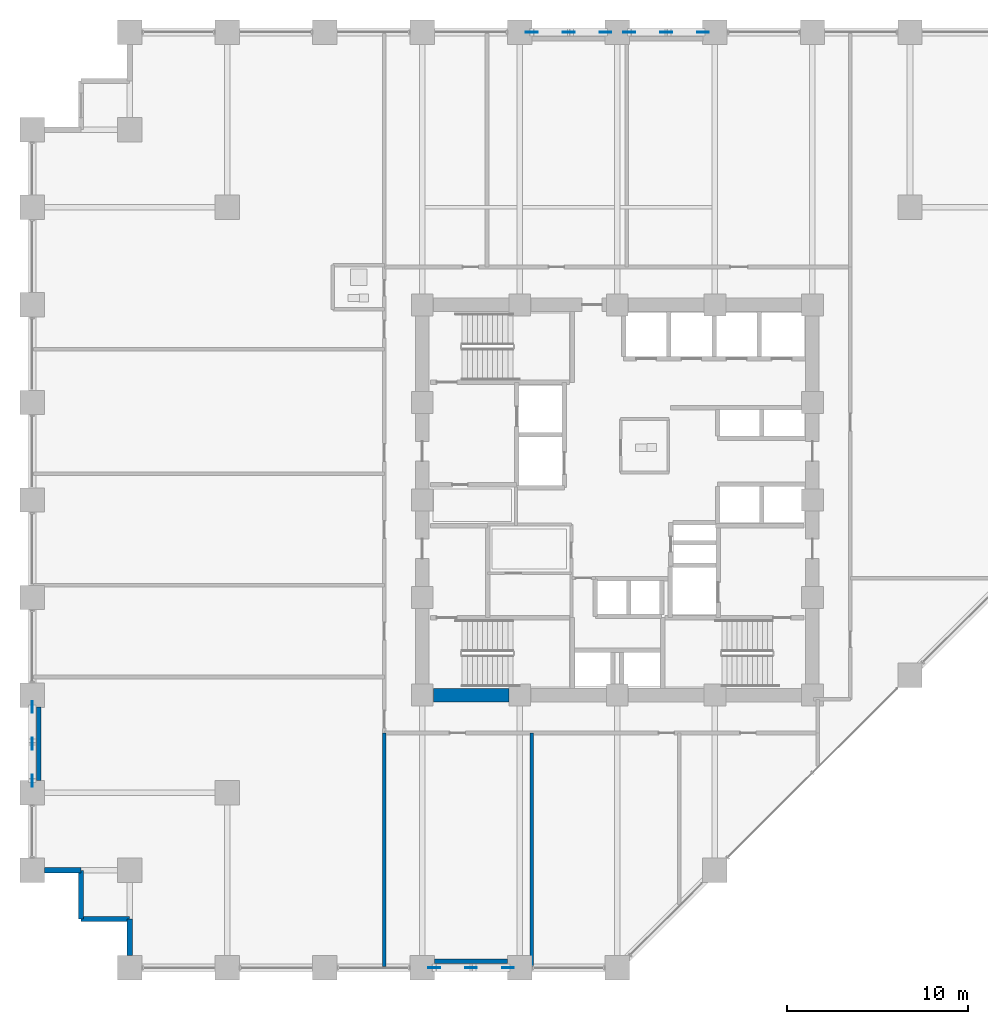
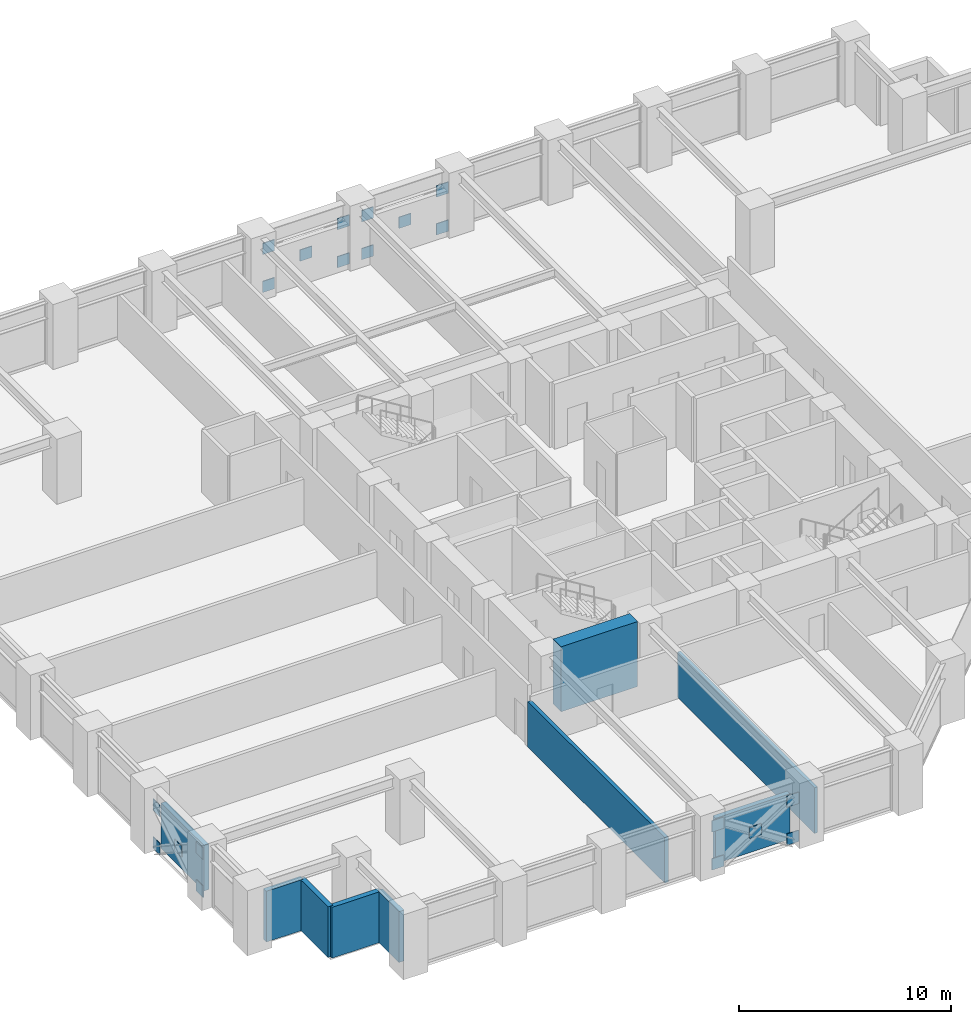
# One storey, part 19 of 24: 20 plates, 9 walls.
"""IFC4 building model written with IfcOpenShell, lengths in metres."""

from ifc_helpers import new_model, si_unit, direction, frame, frame_2d, origin, origin_2d, place, context, subcontext, project, spatial, rectangle, extrude, material, layer, layer_set, type_object, element, save


model = new_model("IFC4")

# Units and contexts
model_context = context("Model", 3, precision=1e-05, world=origin(), true_north=direction((0.0, 1.0)))
body_context = subcontext(model_context, "Body", "Model", "MODEL_VIEW")
ifc_project = project(units=[si_unit("LENGTHUNIT", "METRE"), si_unit("AREAUNIT", "SQUARE_METRE"), si_unit("VOLUMEUNIT", "CUBIC_METRE"), si_unit("PLANEANGLEUNIT", "RADIAN"), si_unit("MASSUNIT", "GRAM", prefix="KILO")], contexts=[model_context])

# Site, building, storey
site_placement = place(None, origin())
site = spatial("IfcSite", under=ifc_project, at=site_placement, CompositionType="ELEMENT")
building_placement = place(site_placement, origin())
building = spatial("IfcBuilding", under=site, at=building_placement, Name="Surkhivell Harbour Commons", CompositionType="ELEMENT")
storey_placement = place(building_placement, frame((0.0, 0.0, 26.25)))
storey = spatial("IfcBuildingStorey", under=building, at=storey_placement, Name="L06", CompositionType="ELEMENT", Elevation=26.25)

# Plates
ifc_material_1 = material(Name="Steel S460", Category="steel")
ifc_layer_1 = layer(ifc_material_1, 0.044921875)
ifc_layer_set_1 = layer_set([ifc_layer_1], Name="Steel S460")
plate_type = type_object("IfcPlateType", Name="PLT-GUS-650", PredefinedType="USERDEFINED", material=ifc_layer_set_1)
for number, where, z_axis, x_axis, name in (
    (1, (-4.739990234375, 25.89990234375, -0.08935546875), (0.0, 0.0, 1.0), (1.0, 0.0, 0.0), "L06 Perimeter Mega-Brace MB- Corner Gusset N-1"),
    (2, (-0.659912109375, 25.89990234375, -0.08935546875), (0.0, 0.0, 1.0), (1.0, 0.0, 0.0), "L06 Perimeter Mega-Brace MB- Corner Gusset N-2"),
    (3, (-4.739990234375, 25.89990234375, 2.1005859375), (0.0, 0.0, 1.0), (1.0, 0.0, 0.0), "L06 Perimeter Mega-Brace MB- Corner Gusset N-3"),
    (4, (-0.659912109375, 25.89990234375, 2.1005859375), (0.0, 0.0, 1.0), (1.0, 0.0, 0.0), "L06 Perimeter Mega-Brace MB- Corner Gusset N-4"),
    (5, (-2.699951171875, 25.89990234375, 1.005615234375), (0.0, 0.0, 1.0), (1.0, 0.0, 0.0), "L06 Perimeter Mega-Brace MB- Central Crossing Gusset N"),
    (6, (0.659912109375, 25.89990234375, -0.08935546875), (0.0, 0.0, 1.0), (1.0, 0.0, 0.0), "L06 Perimeter Mega-Brace MB- Corner Gusset N2-1"),
    (7, (4.739990234375, 25.89990234375, -0.08935546875), (0.0, 0.0, 1.0), (1.0, 0.0, 0.0), "L06 Perimeter Mega-Brace MB- Corner Gusset N2-2"),
    (8, (0.659912109375, 25.89990234375, 2.1005859375), (0.0, 0.0, 1.0), (1.0, 0.0, 0.0), "L06 Perimeter Mega-Brace MB- Corner Gusset N2-3"),
    (9, (4.739990234375, 25.89990234375, 2.1005859375), (0.0, 0.0, 1.0), (1.0, 0.0, 0.0), "L06 Perimeter Mega-Brace MB- Corner Gusset N2-4"),
    (10, (2.699951171875, 25.89990234375, 1.005615234375), (0.0, 0.0, 1.0), (1.0, 0.0, 0.0), "L06 Perimeter Mega-Brace MB- Central Crossing Gusset N2"),
    (11, (-10.139892578125, -25.89990234375, -0.08935546875), (0.0, 0.0, 1.0), (1.0, 0.0, 0.0), "L06 Perimeter Mega-Brace MB- Corner Gusset S-1"),
    (12, (-6.06005859375, -25.89990234375, -0.08935546875), (0.0, 0.0, 1.0), (1.0, 0.0, 0.0), "L06 Perimeter Mega-Brace MB- Corner Gusset S-2"),
    (13, (-10.139892578125, -25.89990234375, 2.1005859375), (0.0, 0.0, 1.0), (1.0, 0.0, 0.0), "L06 Perimeter Mega-Brace MB- Corner Gusset S-3"),
    (14, (-6.06005859375, -25.89990234375, 2.1005859375), (0.0, 0.0, 1.0), (1.0, 0.0, 0.0), "L06 Perimeter Mega-Brace MB- Corner Gusset S-4"),
    (15, (-8.10009765625, -25.89990234375, 1.005615234375), (0.0, 0.0, 1.0), (1.0, 0.0, 0.0), "L06 Perimeter Mega-Brace MB- Central Crossing Gusset S"),
    (16, (-32.39990234375, -15.5400390625, -0.08935546875), (0.0, 0.0, 1.0), (0.0, 1.0, 0.0), "L06 Perimeter Mega-Brace MB- Corner Gusset W-1"),
    (17, (-32.39990234375, -11.4599609375, -0.08935546875), (0.0, 0.0, 1.0), (0.0, 1.0, 0.0), "L06 Perimeter Mega-Brace MB- Corner Gusset W-2"),
    (18, (-32.39990234375, -15.5400390625, 2.1005859375), (0.0, 0.0, 1.0), (0.0, 1.0, 0.0), "L06 Perimeter Mega-Brace MB- Corner Gusset W-3"),
    (19, (-32.39990234375, -11.4599609375, 2.1005859375), (0.0, 0.0, 1.0), (0.0, 1.0, 0.0), "L06 Perimeter Mega-Brace MB- Corner Gusset W-4"),
    (20, (-32.39990234375, -13.5, 1.005615234375), (0.0, 0.0, 1.0), (0.0, 1.0, 0.0), "L06 Perimeter Mega-Brace MB- Central Crossing Gusset W"),
):
    element("IfcPlate", number, at=place(storey_placement, frame(where, z_axis=z_axis, x_axis=x_axis)), inside=storey, type_object=plate_type, Name=name, ObjectType="GUSSET_PLATE", PredefinedType="USERDEFINED", context=body_context, shape_type="SweptSolid", body=[
        extrude(rectangle(XDim=0.64990234375, YDim=0.044921875, at=origin_2d()), origin(), (0.0, 0.0, 1.0), 0.64990234375),
    ])

# Walls
ifc_material_2 = material(Name="Concrete C60/75", Category="concrete")
ifc_layer_2 = layer(ifc_material_2, 0.75)
ifc_layer_set_2 = layer_set([ifc_layer_2], Name="Concrete C60/75")
wall_type_1 = type_object("IfcWallType", Name="WAL-CORE-750", PredefinedType="SHEAR", material=ifc_layer_set_2)
wall_1_placement = place(storey_placement, frame((-10.18994140625, -10.800048828125, 0.0), z_axis=(0.0, 0.0, 1.0), x_axis=(1.0, 0.0, 0.0)))
element("IfcWall", 21, at=wall_1_placement, inside=storey, type_object=wall_type_1, Name="L06 Core Shear Wall South 1", PredefinedType="SHEAR", context=body_context, shape_type="SweptSolid", body=[
    extrude(rectangle(XDim=4.179931640625, YDim=0.75, at=frame_2d((2.08984375, 0.0))), origin(), (0.0, 0.0, 1.0), 3.75),
])
ifc_material_3 = material(Name="Pale-metal insulated precast concrete C45/55", Category="concrete")
ifc_layer_3 = layer(ifc_material_3, 0.260009765625)
ifc_layer_set_3 = layer_set([ifc_layer_3], Name="Pale-metal insulated precast concrete C45/55")
wall_type_2 = type_object("IfcWallType", Name="WAL-EXT-MTL260", PredefinedType="STANDARD", material=ifc_layer_set_3)
wall_2_placement = place(storey_placement, frame((-10.126953125, -25.5400390625, 0.0), z_axis=(0.0, 0.0, 1.0), x_axis=(1.0, 0.0, 0.0)))
element("IfcWall", 22, at=wall_2_placement, inside=storey, type_object=wall_type_2, Name="L06 Braced-Bay Insulated Spandrel Backing S", PredefinedType="STANDARD", context=body_context, shape_type="SweptSolid", body=[
    extrude(rectangle(XDim=4.053955078125, YDim=0.260009765625, at=frame_2d((2.02685546875, 0.0))), origin(), (0.0, 0.0, 1.0), 2.62890625),
])
wall_3_placement = place(storey_placement, frame((-32.0400390625, -11.472900390625, 0.0), z_axis=(0.0, 0.0, 1.0), x_axis=(0.0, -1.0, 0.0)))
element("IfcWall", 23, at=wall_3_placement, inside=storey, type_object=wall_type_2, Name="L06 Braced-Bay Insulated Spandrel Backing W", PredefinedType="STANDARD", context=body_context, shape_type="SweptSolid", body=[
    extrude(rectangle(XDim=4.05419921875, YDim=0.260009765625, at=frame_2d((2.027099609375, 0.0))), origin(), (0.0, 0.0, 1.0), 2.62890625),
])
ifc_material_4 = material(Name="Terracotta-clad reinforced concrete C45/55", Category="masonry")
ifc_layer_4 = layer(ifc_material_4, 0.280029296875)
ifc_layer_set_4 = layer_set([ifc_layer_4], Name="Terracotta-clad reinforced concrete C45/55")
wall_type_3 = type_object("IfcWallType", Name="WAL-EXT-TER280", PredefinedType="STANDARD", material=ifc_layer_set_4)
wall_4_placement = place(storey_placement, frame((-31.72705078125, -20.5, 0.0), z_axis=(0.0, 0.0, 1.0), x_axis=(1.0, 0.0, 0.0)))
element("IfcWall", 24, at=wall_4_placement, inside=storey, type_object=wall_type_3, Name="L06 Serrated Corner Facade Wall 13", PredefinedType="STANDARD", context=body_context, shape_type="SweptSolid", body=[
    extrude(rectangle(XDim=2.027099609375, YDim=0.280029296875, at=frame_2d((1.013671875, 0.0))), origin(), (0.0, 0.0, 1.0), 2.929931640625),
])
for number, where, z_axis, x_axis, name in (
    (25, (-29.699951171875, -20.5, 0.0), (0.0, 0.0, 1.0), (0.0, -1.0, 0.0), "L06 Serrated Corner Facade Wall 14"),
    (26, (-29.699951171875, -23.199951171875, 0.0), (0.0, 0.0, 1.0), (1.0, 0.0, 0.0), "L06 Serrated Corner Facade Wall 15"),
):
    element("IfcWall", number, at=place(storey_placement, frame(where, z_axis=z_axis, x_axis=x_axis)), inside=storey, type_object=wall_type_3, Name=name, PredefinedType="STANDARD", context=body_context, shape_type="SweptSolid", body=[
        extrude(rectangle(XDim=2.699951171875, YDim=0.280029296875, at=frame_2d((1.35009765625, 0.0))), origin(), (0.0, 0.0, 1.0), 2.929931640625),
    ])
wall_5_placement = place(storey_placement, frame((-27.0, -23.199951171875, 0.0), z_axis=(0.0, 0.0, 1.0), x_axis=(0.0, -1.0, 0.0)))
element("IfcWall", 27, at=wall_5_placement, inside=storey, type_object=wall_type_3, Name="L06 Serrated Corner Facade Wall 16", PredefinedType="STANDARD", context=body_context, shape_type="SweptSolid", body=[
    extrude(rectangle(XDim=2.027099609375, YDim=0.280029296875, at=frame_2d((1.013671875, 0.0))), origin(), (0.0, 0.0, 1.0), 2.929931640625),
])
ifc_material_5 = material(Name="High-density acoustic blockwork fire partition", Category="masonry")
ifc_layer_5 = layer(ifc_material_5, 0.175048828125)
ifc_layer_set_5 = layer_set([ifc_layer_5], Name="High-density acoustic blockwork fire partition")
wall_type_4 = type_object("IfcWallType", Name="WAL-INT-175", PredefinedType="PARTITIONING", material=ifc_layer_set_5)
wall_6_placement = place(storey_placement, frame((-4.739990234375, -25.840087890625, 0.0), z_axis=(0.0, 0.0, 1.0), x_axis=(0.0, 1.0, 0.0)))
element("IfcWall", 28, at=wall_6_placement, inside=storey, type_object=wall_type_4, Name="L06 South Partition P1", PredefinedType="PARTITIONING", context=body_context, shape_type="SweptSolid", body=[
    extrude(rectangle(XDim=12.940185546875, YDim=0.175048828125, at=frame_2d((6.47021484375, 0.0))), origin(), (0.0, 0.0, 1.0), 2.62890625),
])
ifc_material_6 = material(Name="Autoclaved aerated concrete blockwork and fire plaster", Category="masonry")
ifc_layer_6 = layer(ifc_material_6, 0.199951171875)
ifc_layer_set_6 = layer_set([ifc_layer_6], Name="Autoclaved aerated concrete blockwork and fire plaster")
wall_type_5 = type_object("IfcWallType", Name="WAL-INT-200", PredefinedType="PARTITIONING", material=ifc_layer_set_6)
wall_7_placement = place(storey_placement, frame((-12.89990234375, -25.840087890625, 0.0), z_axis=(0.0, 0.0, 1.0), x_axis=(0.0, 1.0, 0.0)))
element("IfcWall", 29, at=wall_7_placement, inside=storey, type_object=wall_type_5, Name="L06 South-West Wing Corner Divider", PredefinedType="PARTITIONING", context=body_context, shape_type="SweptSolid", body=[
    extrude(rectangle(XDim=12.940185546875, YDim=0.199951171875, at=frame_2d((6.47021484375, 0.0))), origin(), (0.0, 0.0, 1.0), 2.62890625),
])

save(model, "model.ifc")
